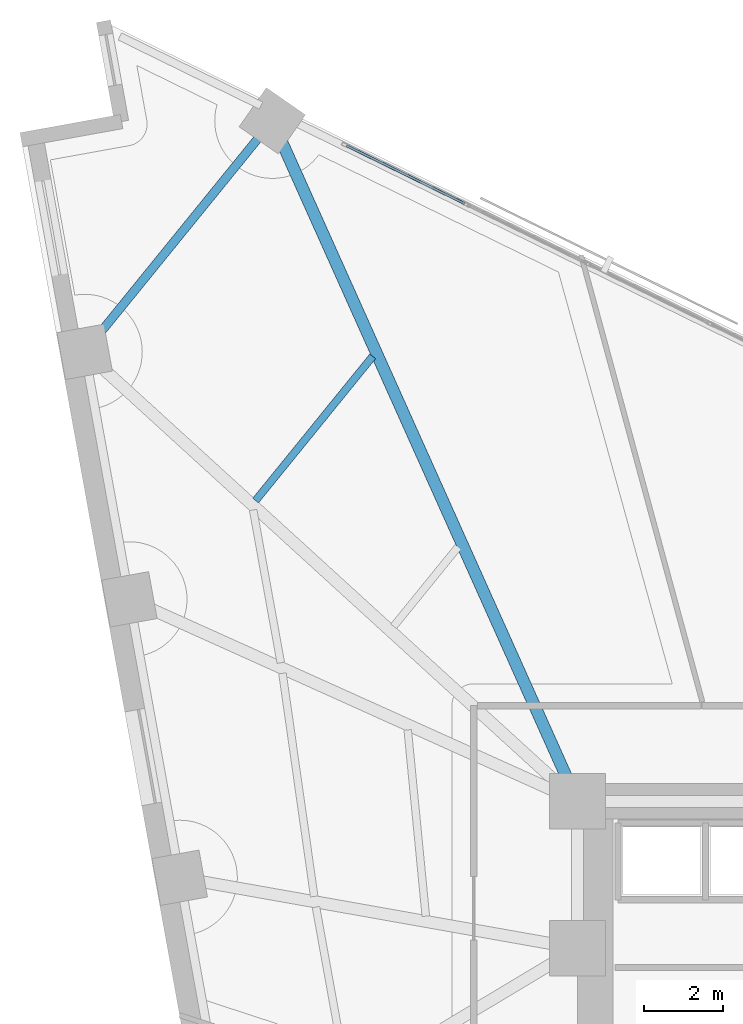
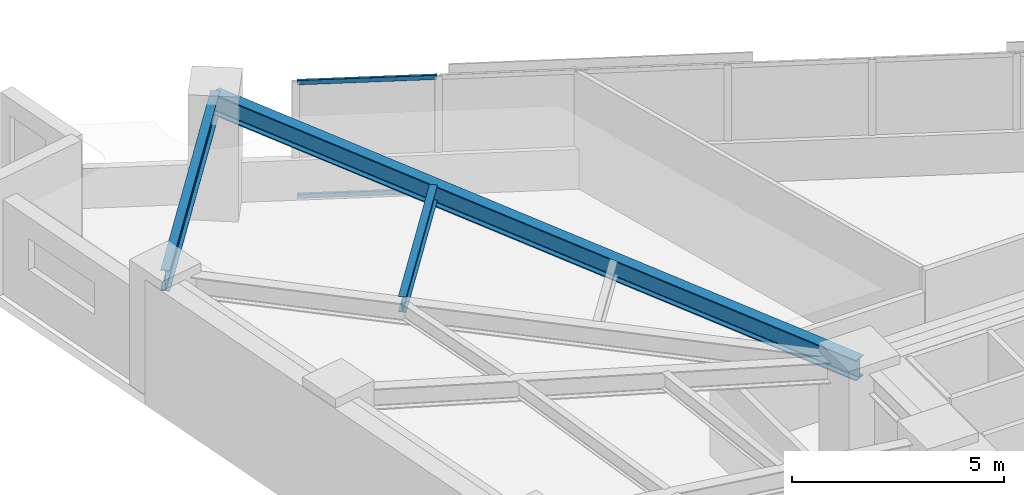
# One storey, part 9 of 18: 3 beams, 2 members, 1 element without a shape of its own.
"""IFC4 building model written with IfcOpenShell, lengths in metres."""

from ifc_helpers import new_model, si_unit, direction, frame, origin, origin_2d, place, context, subcontext, project, spatial, hollow_rectangle, i_section, extrude, material, material_profile, profile_set, type_object, element, aggregate, save


model = new_model("IFC4")

# Units and contexts
model_context = context("Model", 3, precision=1e-05, world=origin(), true_north=direction((0.0, 1.0)))
body_context = subcontext(model_context, "Body", "Model", "MODEL_VIEW")
ifc_project = project(units=[si_unit("LENGTHUNIT", "METRE"), si_unit("AREAUNIT", "SQUARE_METRE"), si_unit("VOLUMEUNIT", "CUBIC_METRE"), si_unit("PLANEANGLEUNIT", "RADIAN"), si_unit("MASSUNIT", "GRAM", prefix="KILO")], contexts=[model_context])

# Site, building, storey
site_placement = place(None, origin())
site = spatial("IfcSite", under=ifc_project, at=site_placement, CompositionType="ELEMENT")
building_placement = place(site_placement, origin())
building = spatial("IfcBuilding", under=site, at=building_placement, Name="Narakoshi Arena Tower", CompositionType="ELEMENT")
storey_placement = place(building_placement, frame((0.0, 0.0, 110.10009765625)))
storey = spatial("IfcBuildingStorey", under=building, at=storey_placement, Name="L29", CompositionType="ELEMENT", Elevation=110.10009765625)

# Beams
ifc_material_1 = material(Name="Structural steel S355J2", Category="steel")
ifc_material_profile_1 = material_profile(ifc_material_1, i_section(OverallWidth=0.219970703125, OverallDepth=0.60009765625, WebThickness=0.011962890625, FlangeThickness=0.01904296875, FilletRadius=0.02392578125, at=origin_2d()), Name="IPE600")
ifc_profile_set_1 = profile_set([ifc_material_profile_1], Name="Structural steel S355J2")
beam_type_1 = type_object("IfcBeamType", Name="BM-EDGE-600", PredefinedType="BEAM", material=ifc_profile_set_1)
beam_1_placement = place(storey_placement, frame((64.31787109375, 73.633056640625, 3.039794921875), z_axis=(-0.630427035182, -0.776248512598, 0.0), x_axis=(0.776248512598, -0.630427035182, 0.0)))
element("IfcBeam", 1, at=beam_1_placement, inside=storey, type_object=beam_type_1, Name="L29 Perimeter Edge Girder 09", PredefinedType="BEAM", context=body_context, shape_type="SweptSolid", body=[
    extrude(i_section(OverallWidth=0.219970703125, OverallDepth=0.60009765625, WebThickness=0.011962890625, FlangeThickness=0.01904296875, FilletRadius=0.02392578125, at=origin_2d()), origin(), (0.0, 0.0, 1.0), 7.493896484375),
])
ifc_material_profile_2 = material_profile(ifc_material_1, i_section(OverallWidth=0.300048828125, OverallDepth=0.60009765625, WebThickness=0.015380859375, FlangeThickness=0.030029296875, FilletRadius=0.027099609375, at=origin_2d()), Name="HE600B")
ifc_profile_set_2 = profile_set([ifc_material_profile_2], Name="Structural steel S355J2")
beam_type_2 = type_object("IfcBeamType", Name="BM-PRI-600", PredefinedType="BEAM", material=ifc_profile_set_2)
beam_2_placement = place(storey_placement, frame((72.0, 56.5, 3.039794921875), z_axis=(-0.409135423529, 0.91247367371, 0.0), x_axis=(-0.91247367371, -0.409135423529, 0.0)))
element("IfcBeam", 2, at=beam_2_placement, inside=storey, type_object=beam_type_2, Name="L29 Radial Primary Floor Girder 09", PredefinedType="BEAM", context=body_context, shape_type="SweptSolid", body=[
    extrude(i_section(OverallWidth=0.300048828125, OverallDepth=0.60009765625, WebThickness=0.015380859375, FlangeThickness=0.030029296875, FilletRadius=0.027099609375, at=origin_2d()), origin(), (0.0, 0.0, 1.0), 18.776611328125),
])
ifc_material_profile_3 = material_profile(ifc_material_1, i_section(OverallWidth=0.18994140625, OverallDepth=0.449951171875, WebThickness=0.009521484375, FlangeThickness=0.0146484375, FilletRadius=0.02099609375, at=origin_2d()), Name="IPE450")
ifc_profile_set_3 = profile_set([ifc_material_profile_3], Name="Structural steel S355J2")
beam_type_3 = type_object("IfcBeamType", Name="BM-SEC-450", PredefinedType="JOIST", material=ifc_profile_set_3)
beam_3_placement = place(storey_placement, frame((66.844482421875, 67.702880859375, 3.114990234375), z_axis=(-0.630421596357, -0.776252929687, 0.0), x_axis=(0.776252929687, -0.630421596357, 0.0)))
element("IfcBeam", 3, at=beam_3_placement, inside=storey, type_object=beam_type_3, Name="L29 Composite Secondary Floor Joist 11", PredefinedType="JOIST", context=body_context, shape_type="SweptSolid", body=[
    extrude(i_section(OverallWidth=0.18994140625, OverallDepth=0.449951171875, WebThickness=0.009521484375, FlangeThickness=0.0146484375, FilletRadius=0.02099609375, at=origin_2d()), origin(), (0.0, 0.0, 1.0), 4.67578125),
])

# Curtain wall, members
ifc_material_2 = material(Name="Anodised bronze aluminium 6063-T6", Category="aluminium")
curtain_wall_type = type_object("IfcCurtainWallType", Name="CW-HYP-LOW", PredefinedType="NOTDEFINED", material=ifc_material_2)
curtain_wall_placement = place(storey_placement, origin())
curtain_wall = element("IfcCurtainWall", 4, at=curtain_wall_placement, inside=storey, type_object=curtain_wall_type, Name="L29 Folded Hypotenuse Curtain Wall 2-1", PredefinedType="NOTDEFINED")
ifc_material_profile_4 = material_profile(ifc_material_2, hollow_rectangle(XDim=0.06494140625, YDim=0.1298828125, WallThickness=0.00390625, OuterFilletRadius=0.0048828125, at=origin_2d()), Name="TRN130x65x4")
ifc_profile_set_4 = profile_set([ifc_material_profile_4], Name="Anodised bronze aluminium 6063-T6")
member_type = type_object("IfcMemberType", Name="MEM-TRN-130", PredefinedType="USERDEFINED", material=ifc_profile_set_4)
member_1_placement = place(storey_placement, frame((69.1591796875, 71.55029296875, 0.032470703125), z_axis=(-0.898012158644, 0.439970638711, 0.0), x_axis=(-0.439970638711, -0.898012158644, 0.0)))
member_1 = element("IfcMember", 5, at=member_1_placement, type_object=member_type, Name="CW-01 transom 7.1", ObjectType="TRANSOM", PredefinedType="USERDEFINED", context=body_context, shape_type="SweptSolid", body=[
    extrude(hollow_rectangle(XDim=0.06494140625, YDim=0.1298828125, WallThickness=0.00390625, OuterFilletRadius=0.0048828125, at=origin_2d()), origin(), (0.0, 0.0, 1.0), 3.31005859375),
])
member_2_placement = place(storey_placement, frame((69.1591796875, 71.55029296875, 3.307373046875), z_axis=(-0.898012158644, 0.439970638711, 0.0), x_axis=(-0.439970638711, -0.898012158644, 0.0)))
member_2 = element("IfcMember", 6, at=member_2_placement, type_object=member_type, Name="CW-01 transom 7.2", ObjectType="TRANSOM", PredefinedType="USERDEFINED", context=body_context, shape_type="SweptSolid", body=[
    extrude(hollow_rectangle(XDim=0.06494140625, YDim=0.1298828125, WallThickness=0.00390625, OuterFilletRadius=0.0048828125, at=origin_2d()), origin(), (0.0, 0.0, 1.0), 3.31005859375),
])
aggregate(curtain_wall, [member_1, member_2])

save(model, "model.ifc")
